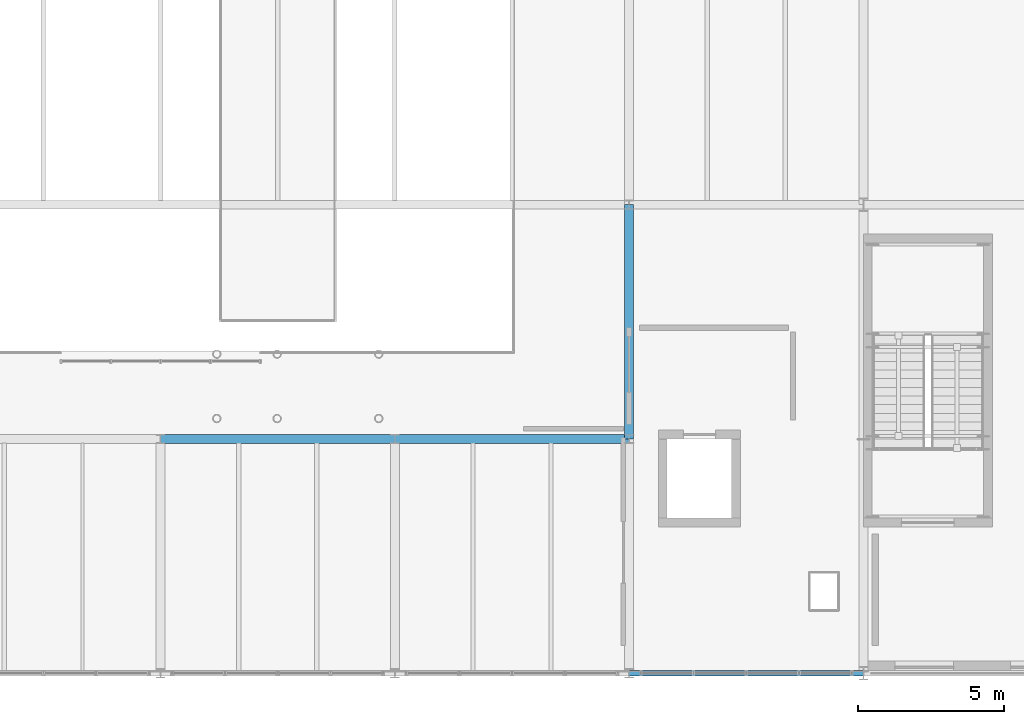
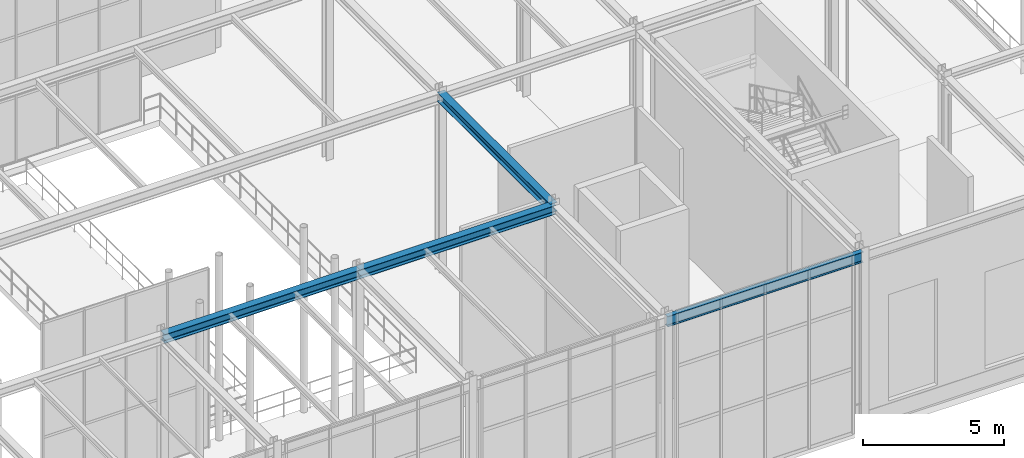
# One storey, part 43 of 138: 4 beams.
"""IFC4 building model written with IfcOpenShell, lengths in metres."""

from ifc_helpers import new_model, si_unit, direction, frame, origin, origin_2d, place, context, subcontext, project, spatial, i_section, extrude, material, material_profile, profile_set, type_object, element, save


model = new_model("IFC4")

# Units and contexts
model_context = context("Model", 3, precision=1e-05, world=origin(), true_north=direction((0.0, 1.0)))
body_context = subcontext(model_context, "Body", "Model", "MODEL_VIEW")
ifc_project = project(units=[si_unit("LENGTHUNIT", "METRE"), si_unit("AREAUNIT", "SQUARE_METRE"), si_unit("VOLUMEUNIT", "CUBIC_METRE"), si_unit("PLANEANGLEUNIT", "RADIAN"), si_unit("MASSUNIT", "GRAM", prefix="KILO")], contexts=[model_context])

# Site, building, storey
site_placement = place(None, origin())
site = spatial("IfcSite", under=ifc_project, at=site_placement, CompositionType="ELEMENT")
building_placement = place(site_placement, origin())
building = spatial("IfcBuilding", under=site, at=building_placement, Name="Sundkrona Museum", CompositionType="ELEMENT")
storey_placement = place(building_placement, frame((0.0, 0.0, 9.60009765625)))
storey = spatial("IfcBuildingStorey", under=building, at=storey_placement, Name="L02", CompositionType="ELEMENT", Elevation=9.60009765625)

# Beams
ifc_material = material(Name="Steel S355J2", Category="steel")
ifc_material_profile_1 = material_profile(ifc_material, i_section(OverallWidth=0.300048828125, OverallDepth=0.389892578125, WebThickness=0.010986328125, FlangeThickness=0.01904296875, FilletRadius=0.027099609375, at=origin_2d()), Name="HEA 400")
ifc_profile_set_1 = profile_set([ifc_material_profile_1], Name="Steel S355J2")
beam_type_1 = type_object("IfcBeamType", Name="B-HEA400", PredefinedType="BEAM", material=ifc_profile_set_1)
for number, where, z_axis, x_axis, name in (
    (1, (96.0, 8.0, 7.544921875), (1.0, 0.0, 0.0), (0.0, 1.0, 0.0), "L02 Girder X-1132"),
    (2, (104.0, 8.0, 7.544921875), (1.0, 0.0, 0.0), (0.0, 1.0, 0.0), "L02 Girder X-1133"),
    (3, (112.0, 8.0, 7.544921875), (0.0, 1.0, 0.0), (-1.0, 0.0, 0.0), "L02 Girder Y-1325"),
):
    element("IfcBeam", number, at=place(storey_placement, frame(where, z_axis=z_axis, x_axis=x_axis)), inside=storey, type_object=beam_type_1, Name=name, PredefinedType="BEAM", context=body_context, shape_type="SweptSolid", body=[
        extrude(i_section(OverallWidth=0.300048828125, OverallDepth=0.389892578125, WebThickness=0.010986328125, FlangeThickness=0.01904296875, FilletRadius=0.027099609375, at=origin_2d()), origin(), (0.0, 0.0, 1.0), 8.0),
    ])
ifc_material_profile_2 = material_profile(ifc_material, i_section(OverallWidth=0.18994140625, OverallDepth=0.449951171875, WebThickness=0.009521484375, FlangeThickness=0.0146484375, FilletRadius=0.02099609375, at=origin_2d()), Name="IPE 450")
ifc_profile_set_2 = profile_set([ifc_material_profile_2], Name="Steel S355J2")
beam_type_2 = type_object("IfcBeamType", Name="SP-IPE450", PredefinedType="SPANDREL", material=ifc_profile_set_2)
beam_placement = place(storey_placement, frame((112.0, 0.0, 7.514892578125), z_axis=(1.0, 0.0, 0.0), x_axis=(0.0, 1.0, 0.0)))
element("IfcBeam", 4, at=beam_placement, inside=storey, type_object=beam_type_2, Name="L02 Girder X-1126", PredefinedType="SPANDREL", context=body_context, shape_type="SweptSolid", body=[
    extrude(i_section(OverallWidth=0.18994140625, OverallDepth=0.449951171875, WebThickness=0.009521484375, FlangeThickness=0.0146484375, FilletRadius=0.02099609375, at=origin_2d()), origin(), (0.0, 0.0, 1.0), 8.0),
])

save(model, "model.ifc")
